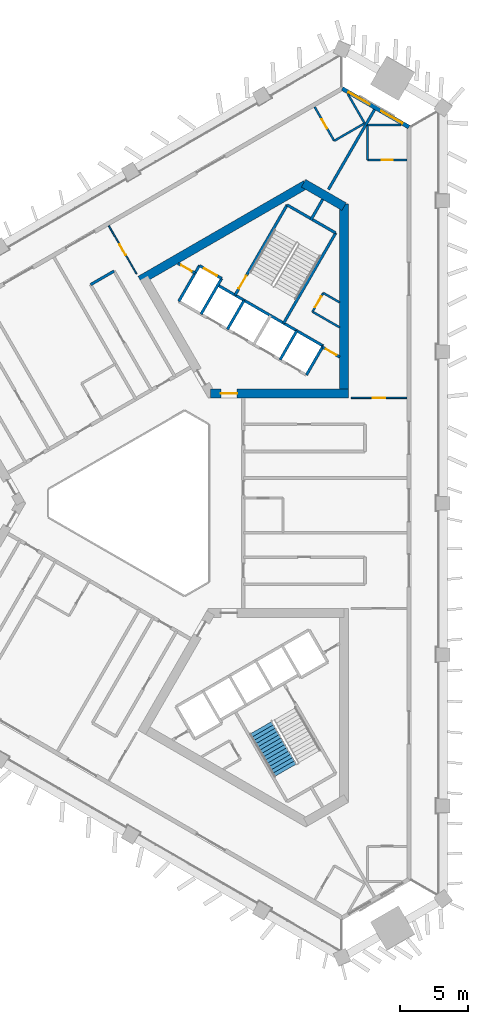
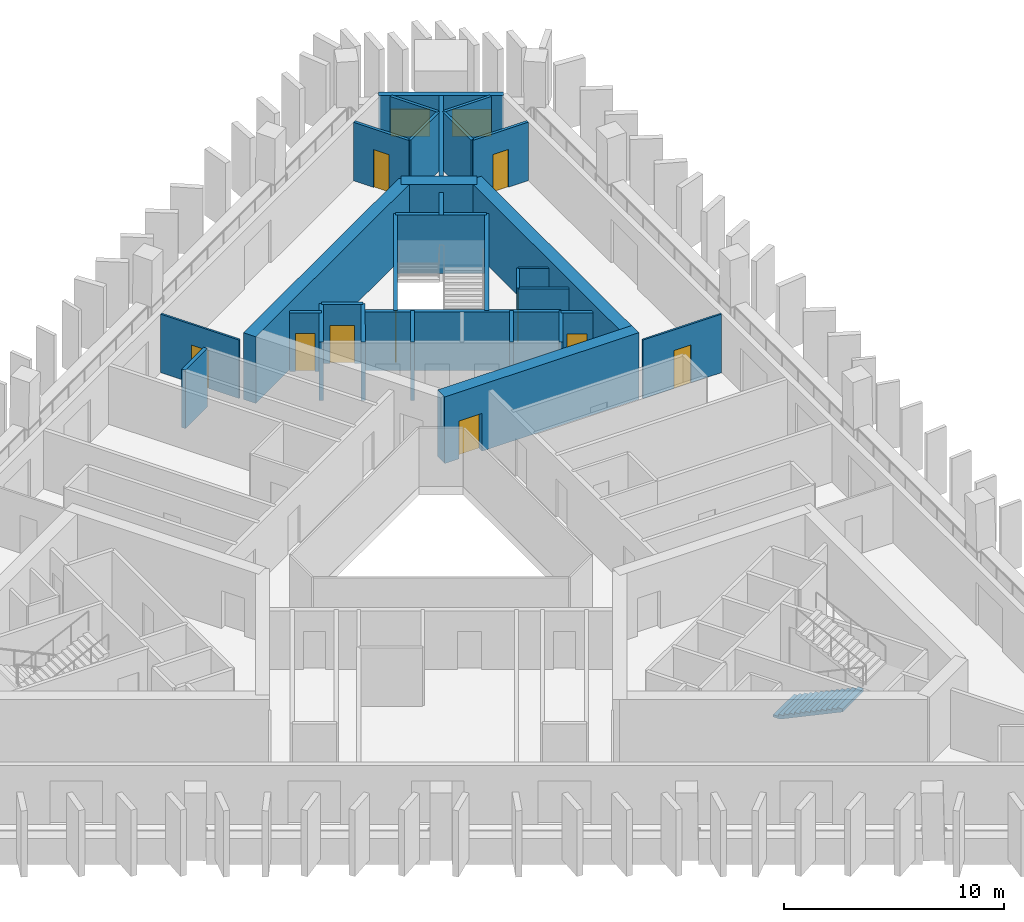
# One storey, part 6 of 10: 31 walls, 10 doors, 2 windows, 1 stair flight, 12 openings, 1 element without a shape of its own.
"""IFC4 building model written with IfcOpenShell, lengths in metres."""

from ifc_helpers import new_model, si_unit, direction, frame, frame_2d, origin, place, context, subcontext, project, spatial, polyline, rectangle, outline, extrude, material, layer, layer_set, type_object, element, fill, aggregate, save


model = new_model("IFC4")

# Units and contexts
model_context = context("Model", 3, precision=1e-05, world=origin(), true_north=direction((0.0, 1.0)))
body_context = subcontext(model_context, "Body", "Model", "MODEL_VIEW")
ifc_project = project(units=[si_unit("LENGTHUNIT", "METRE"), si_unit("AREAUNIT", "SQUARE_METRE"), si_unit("VOLUMEUNIT", "CUBIC_METRE"), si_unit("PLANEANGLEUNIT", "RADIAN"), si_unit("MASSUNIT", "GRAM", prefix="KILO")], contexts=[model_context])

# Site, building, storey
site_placement = place(None, origin())
site = spatial("IfcSite", under=ifc_project, at=site_placement, CompositionType="ELEMENT")
building_placement = place(site_placement, origin())
building = spatial("IfcBuilding", under=site, at=building_placement, Name="Jabali Bay Hotel Tower and Convention Centre", CompositionType="ELEMENT")
storey_placement = place(building_placement, frame((0.0, 0.0, 136.39990234375)))
storey = spatial("IfcBuildingStorey", under=building, at=storey_placement, Name="L33", CompositionType="ELEMENT", Elevation=136.39990234375)

# Wall
ifc_material_1 = material(Name="Concrete C40", Category="concrete")
ifc_layer_1 = layer(ifc_material_1, 0.199951171875)
ifc_layer_set_1 = layer_set([ifc_layer_1], Name="Concrete C40")
wall_type_1 = type_object("IfcWallType", Name="Core partition wall 200", PredefinedType="PARTITIONING", material=ifc_layer_set_1)
wall_1_placement = place(storey_placement, frame((87.090087890625, 100.9404296875, 0.0), z_axis=(0.0, 0.0, 1.0), x_axis=(0.499944938281, 0.866057191349, 0.0)))
element("IfcWall", 1, at=wall_1_placement, inside=storey, type_object=wall_type_1, Name="Core wall 1.5 L33", PredefinedType="PARTITIONING", context=body_context, shape_type="SweptSolid", body=[
    extrude(rectangle(XDim=1.773193359375, YDim=0.199951171875, at=frame_2d((0.88671875, 0.0))), origin(), (0.0, 0.0, 1.0), 3.25),
])

# Wall, opening, door
wall_2_placement = place(storey_placement, frame((89.22998046875, 90.813720703125, 0.0), z_axis=(0.0, 0.0, 1.0), x_axis=(-0.866022048785, 0.500005810984, 0.0)))
wall_2 = element("IfcWall", 2, at=wall_2_placement, inside=storey, type_object=wall_type_1, Name="Core wall 1.11 L33", PredefinedType="PARTITIONING", context=body_context, shape_type="SweptSolid", body=[
    extrude(rectangle(XDim=1.466796875, YDim=0.199951171875, at=frame_2d((0.7333984375, 0.0))), origin(), (0.0, 0.0, 1.0), 3.25),
])
opening_1_placement = place(wall_2_placement, frame((0.283447265625, 0.0, 0.0)))
opening_1 = element("IfcOpeningElement", 3, at=opening_1_placement, cuts=wall_2, Name="Opening D733", PredefinedType="OPENING", context=body_context, shape_type="SweptSolid", body=[
    extrude(rectangle(XDim=0.89990234375, YDim=2.10009765625, at=frame_2d((0.449951171875, 1.050048828125))), frame((0.0, 0.1103515625, 0.0), z_axis=(0.0, -1.0, 0.0), x_axis=(1.0, 0.0, 0.0)), (0.0, 0.0, 1.0), 0.220947265625),
])
ifc_material_2 = material(Name="Fire-rated steel door", Category="steel")
door_type_1 = type_object("IfcDoorType", Name="Vestibule fire door 900 x 2100", OperationType="NOTDEFINED", PredefinedType="NOTDEFINED", material=ifc_material_2)
door_1_placement = place(opening_1_placement, origin())
door_1 = element("IfcDoor", 4, at=door_1_placement, inside=storey, type_object=door_type_1, Name="Vestibule fire door D733", OperationType="SINGLE_SWING_LEFT", OverallHeight=2.10009765625, OverallWidth=0.89990234375, PredefinedType="NOTDEFINED", context=body_context, shape_type="SweptSolid", body=[
    extrude(rectangle(XDim=0.89990234375, YDim=2.10009765625, at=frame_2d((0.449951171875, 1.050048828125))), frame((0.0, 0.02490234375, 0.0), z_axis=(0.0, -1.0, 0.0), x_axis=(1.0, 0.0, 0.0)), (0.0, 0.0, 1.0), 0.050048828125),
])
fill(opening_1, door_1)

wall_3_placement = place(storey_placement, frame((78.5302734375, 97.014404296875, 0.0), z_axis=(0.0, 0.0, 1.0), x_axis=(-0.866045896294, 0.499964504253, 0.0)))
wall_3 = element("IfcWall", 5, at=wall_3_placement, inside=storey, type_object=wall_type_1, Name="Core wall 1.12 L33", PredefinedType="PARTITIONING", context=body_context, shape_type="SweptSolid", body=[
    extrude(rectangle(XDim=1.455078125, YDim=0.199951171875, at=frame_2d((0.7275390625, 0.0))), origin(), (0.0, 0.0, 1.0), 3.25),
])
opening_2_placement = place(wall_3_placement, frame((0.277587890625, 0.0, 0.0)))
opening_2 = element("IfcOpeningElement", 6, at=opening_2_placement, cuts=wall_3, Name="Opening D732", PredefinedType="OPENING", context=body_context, shape_type="SweptSolid", body=[
    extrude(rectangle(XDim=0.89990234375, YDim=2.10009765625, at=frame_2d((0.449951171875, 1.050048828125))), frame((0.0, 0.1103515625, 0.0), z_axis=(0.0, -1.0, 0.0), x_axis=(1.0, 0.0, 0.0)), (0.0, 0.0, 1.0), 0.220947265625),
])
door_2_placement = place(opening_2_placement, origin())
door_2 = element("IfcDoor", 7, at=door_2_placement, inside=storey, type_object=door_type_1, Name="Vestibule fire door D732", OperationType="SINGLE_SWING_LEFT", OverallHeight=2.10009765625, OverallWidth=0.89990234375, PredefinedType="NOTDEFINED", context=body_context, shape_type="SweptSolid", body=[
    extrude(rectangle(XDim=0.89990234375, YDim=2.10009765625, at=frame_2d((0.449951171875, 1.050048828125))), frame((0.0, 0.02490234375, 0.0), z_axis=(0.0, -1.0, 0.0), x_axis=(1.0, 0.0, 0.0)), (0.0, 0.0, 1.0), 0.050048828125),
])
fill(opening_2, door_2)

ifc_material_3 = material(Name="Fire-rated board partition")
ifc_layer_2 = layer(ifc_material_3, 0.14990234375)
ifc_layer_set_2 = layer_set([ifc_layer_2], Name="Fire-rated board partition")
wall_type_2 = type_object("IfcWallType", Name="Core room partition 150", PredefinedType="PARTITIONING", material=ifc_layer_set_2)
wall_4_placement = place(storey_placement, frame((87.22119140625, 94.16748046875, 0.0), z_axis=(0.0, 0.0, 1.0), x_axis=(0.499880961361, 0.866094119867, 0.0)))
wall_4 = element("IfcWall", 8, at=wall_4_placement, inside=storey, type_object=wall_type_2, Name="Core wall 1.1 L33", PredefinedType="PARTITIONING", context=body_context, shape_type="SweptSolid", body=[
    extrude(rectangle(XDim=1.60009765625, YDim=0.14990234375, at=frame_2d((0.800048828125, 0.0))), origin(), (0.0, 0.0, 1.0), 3.25),
])
opening_3_placement = place(wall_4_placement, frame((0.387451171875, 0.0, 0.0)))
opening_3 = element("IfcOpeningElement", 9, at=opening_3_placement, cuts=wall_4, Name="Opening D735", PredefinedType="OPENING", context=body_context, shape_type="SweptSolid", body=[
    extrude(rectangle(XDim=0.89990234375, YDim=2.10009765625, at=frame_2d((0.449951171875, 1.050048828125))), frame((0.0, 0.08544921875, 0.0), z_axis=(0.0, -1.0, 0.0), x_axis=(1.0, 0.0, 0.0)), (0.0, 0.0, 1.0), 0.1708984375),
])
door_type_2 = type_object("IfcDoorType", Name="Core room door 900 x 2100", OperationType="NOTDEFINED", PredefinedType="NOTDEFINED", material=ifc_material_2)
door_3_placement = place(opening_3_placement, origin())
door_3 = element("IfcDoor", 10, at=door_3_placement, inside=storey, type_object=door_type_2, Name="Core room door D735", OperationType="SINGLE_SWING_LEFT", OverallHeight=2.10009765625, OverallWidth=0.89990234375, PredefinedType="NOTDEFINED", context=body_context, shape_type="SweptSolid", body=[
    extrude(rectangle(XDim=0.89990234375, YDim=2.10009765625, at=frame_2d((0.449951171875, 1.050048828125))), frame((0.0, 0.02490234375, 0.0), z_axis=(0.0, -1.0, 0.0), x_axis=(1.0, 0.0, 0.0)), (0.0, 0.0, 1.0), 0.050048828125),
])
fill(opening_3, door_3)

# Walls
wall_5_placement = place(storey_placement, frame((89.22998046875, 93.0078125, 0.0), z_axis=(0.0, 0.0, 1.0), x_axis=(-0.866045366557, 0.49996542187, 0.0)))
element("IfcWall", 11, at=wall_5_placement, inside=storey, type_object=wall_type_2, Name="Core wall 1.15 L33", PredefinedType="PARTITIONING", context=body_context, shape_type="SweptSolid", body=[
    extrude(rectangle(XDim=2.319580078125, YDim=0.14990234375, at=frame_2d((1.15966796875, 0.0))), origin(), (0.0, 0.0, 1.0), 3.25),
])
wall_6_placement = place(storey_placement, frame((89.22998046875, 94.855224609375, 0.0), z_axis=(0.0, 0.0, 1.0), x_axis=(-0.866028321769, 0.499994945868, 0.0)))
element("IfcWall", 12, at=wall_6_placement, inside=storey, type_object=wall_type_2, Name="Core wall 1.16 L33", PredefinedType="PARTITIONING", context=body_context, shape_type="SweptSolid", body=[
    extrude(rectangle(XDim=1.39599609375, YDim=0.14990234375, at=frame_2d((0.697998046875, 0.0))), origin(), (0.0, 0.0, 1.0), 3.25),
])
ifc_layer_3 = layer(ifc_material_1, 0.199951171875)
ifc_layer_set_3 = layer_set([ifc_layer_3], Name="Concrete C40")
wall_type_3 = type_object("IfcWallType", Name="Core stair wall 200", PredefinedType="SOLIDWALL", material=ifc_layer_set_3)
for number, where, z_axis, x_axis, name in (
    (13, (86.769775390625, 89.48583984375, 0.0), (0.0, 0.0, 1.0), (0.499961042966, 0.86604789447, 0.0), "Core wall 1.0 L33"),
    (14, (84.8212890625, 90.61083984375, 0.0), (0.0, 0.0, 1.0), (0.499961042966, 0.86604789447, 0.0), "Core wall 1.2 L33"),
):
    element("IfcWall", number, at=place(storey_placement, frame(where, z_axis=z_axis, x_axis=x_axis)), inside=storey, type_object=wall_type_3, Name=name, PredefinedType="SOLIDWALL", context=body_context, shape_type="SweptSolid", body=[
        extrude(rectangle(XDim=2.480224609375, YDim=0.199951171875, at=frame_2d((1.240234375, 0.0))), origin(), (0.0, 0.0, 1.0), 3.25),
    ])
wall_7_placement = place(storey_placement, frame((85.0869140625, 93.3212890625, 0.0), z_axis=(0.0, 0.0, 1.0), x_axis=(0.500019787375, 0.866013979237, 0.0)))
element("IfcWall", 15, at=wall_7_placement, inside=storey, type_object=wall_type_3, Name="Core wall 1.3 L33", PredefinedType="SOLIDWALL", context=body_context, shape_type="SweptSolid", body=[
    extrude(rectangle(XDim=7.699951171875, YDim=0.199951171875, at=frame_2d((3.85009765625, 0.0))), origin(), (0.0, 0.0, 1.0), 3.25),
])
wall_8_placement = place(storey_placement, frame((80.924072265625, 92.86083984375, 0.0), z_axis=(0.0, 0.0, 1.0), x_axis=(0.499961042966, 0.86604789447, 0.0)))
element("IfcWall", 16, at=wall_8_placement, inside=storey, type_object=wall_type_3, Name="Core wall 1.6 L33", PredefinedType="SOLIDWALL", context=body_context, shape_type="SweptSolid", body=[
    extrude(rectangle(XDim=2.480224609375, YDim=0.199951171875, at=frame_2d((1.240234375, 0.0))), origin(), (0.0, 0.0, 1.0), 3.25),
])

# Wall, opening, door
wall_9_placement = place(storey_placement, frame((81.492919921875, 95.396240234375, 0.0), z_axis=(0.0, 0.0, 1.0), x_axis=(0.500006057782, 0.866021906294, 0.0)))
wall_9 = element("IfcWall", 17, at=wall_9_placement, inside=storey, type_object=wall_type_3, Name="Core wall 1.7 L33", PredefinedType="SOLIDWALL", context=body_context, shape_type="SweptSolid", body=[
    extrude(rectangle(XDim=7.7001953125, YDim=0.199951171875, at=frame_2d((3.85009765625, 0.0))), origin(), (0.0, 0.0, 1.0), 3.25),
])
opening_4_placement = place(wall_9_placement, frame((0.550048828125, 0.0, 0.0)))
opening_4 = element("IfcOpeningElement", 18, at=opening_4_placement, cuts=wall_9, Name="Opening D734", PredefinedType="OPENING", context=body_context, shape_type="SweptSolid", body=[
    extrude(rectangle(XDim=1.10009765625, YDim=2.10009765625, at=frame_2d((0.550048828125, 1.050048828125))), frame((0.0, 0.1103515625, 0.0), z_axis=(0.0, -1.0, 0.0), x_axis=(1.0, 0.0, 0.0)), (0.0, 0.0, 1.0), 0.220947265625),
])
door_type_3 = type_object("IfcDoorType", Name="Stair fire door 1100 x 2100", OperationType="NOTDEFINED", PredefinedType="NOTDEFINED", material=ifc_material_2)
door_4_placement = place(opening_4_placement, origin())
door_4 = element("IfcDoor", 19, at=door_4_placement, inside=storey, type_object=door_type_3, Name="Stair fire door D734", OperationType="SINGLE_SWING_RIGHT", OverallHeight=2.10009765625, OverallWidth=1.10009765625, PredefinedType="NOTDEFINED", context=body_context, shape_type="SweptSolid", body=[
    extrude(rectangle(XDim=1.10009765625, YDim=2.10009765625, at=frame_2d((0.550048828125, 1.050048828125))), frame((0.0, 0.02490234375, 0.0), z_axis=(0.0, -1.0, 0.0), x_axis=(1.0, 0.0, 0.0)), (0.0, 0.0, 1.0), 0.050048828125),
])
fill(opening_4, door_4)

# Walls
for number, where, z_axis, x_axis, name in (
    (20, (78.9755859375, 93.98583984375, 0.0), (0.0, 0.0, 1.0), (0.499944174705, 0.866057632134, 0.0), "Core wall 1.8 L33"),
    (21, (77.330078125, 94.93603515625, 0.0), (0.0, 0.0, 1.0), (0.500038867431, 0.8660029625, 0.0), "Core wall 1.9 L33"),
):
    element("IfcWall", number, at=place(storey_placement, frame(where, z_axis=z_axis, x_axis=x_axis)), inside=storey, type_object=wall_type_3, Name=name, PredefinedType="SOLIDWALL", context=body_context, shape_type="SweptSolid", body=[
        extrude(rectangle(XDim=3.050048828125, YDim=0.199951171875, at=frame_2d((1.52490234375, 0.0))), origin(), (0.0, 0.0, 1.0), 3.25),
    ])
wall_10_placement = place(storey_placement, frame((88.009765625, 91.6337890625, 0.0), z_axis=(0.0, 0.0, 1.0), x_axis=(-0.866024315419, 0.5000018851, 0.0)))
element("IfcWall", 22, at=wall_10_placement, inside=storey, type_object=wall_type_3, Name="Core wall 1.13 L33", PredefinedType="SOLIDWALL", context=body_context, shape_type="SweptSolid", body=[
    extrude(rectangle(XDim=9.0, YDim=0.199951171875, at=frame_2d((4.5, 0.0))), origin(), (0.0, 0.0, 1.0), 3.25),
])

# Wall, opening, door
wall_11_placement = place(storey_placement, frame((80.50048828125, 96.62744140625, 0.0), z_axis=(0.0, 0.0, 1.0), x_axis=(-0.86601224135, 0.500022797313, 0.0)))
wall_11 = element("IfcWall", 23, at=wall_11_placement, inside=storey, type_object=wall_type_3, Name="Core wall 1.14 L33", PredefinedType="SOLIDWALL", context=body_context, shape_type="SweptSolid", body=[
    extrude(rectangle(XDim=1.89990234375, YDim=0.199951171875, at=frame_2d((0.949951171875, 0.0))), origin(), (0.0, 0.0, 1.0), 3.25),
])
opening_5_placement = place(wall_11_placement, frame((0.39990234375, 0.0, 0.0)))
opening_5 = element("IfcOpeningElement", 24, at=opening_5_placement, cuts=wall_11, Name="Opening LD10-L33", PredefinedType="OPENING", context=body_context, shape_type="SweptSolid", body=[
    extrude(rectangle(XDim=1.10009765625, YDim=2.10009765625, at=frame_2d((0.550048828125, 1.050048828125))), frame((0.0, 0.1103515625, 0.0), z_axis=(0.0, -1.0, 0.0), x_axis=(1.0, 0.0, 0.0)), (0.0, 0.0, 1.0), 0.220947265625),
])
ifc_material_4 = material(Name="Stainless steel landing door", Category="steel")
door_type_4 = type_object("IfcDoorType", Name="Landing door 1100 x 2100", OperationType="NOTDEFINED", PredefinedType="NOTDEFINED", material=ifc_material_4)
door_5_placement = place(opening_5_placement, origin())
door_5 = element("IfcDoor", 25, at=door_5_placement, inside=storey, type_object=door_type_4, Name="Landing doors LD10-L33", OperationType="SLIDING_TO_RIGHT", OverallHeight=2.10009765625, OverallWidth=1.10009765625, PredefinedType="NOTDEFINED", context=body_context, shape_type="SweptSolid", body=[
    extrude(rectangle(XDim=1.10009765625, YDim=2.10009765625, at=frame_2d((0.550048828125, 1.050048828125))), frame((0.0, 0.02490234375, 0.0), z_axis=(0.0, -1.0, 0.0), x_axis=(1.0, 0.0, 0.0)), (0.0, 0.0, 1.0), 0.050048828125),
])
fill(opening_5, door_5)

# Wall
wall_12_placement = place(storey_placement, frame((88.93701171875, 99.989501953125, 0.0), z_axis=(0.0, 0.0, 1.0), x_axis=(-0.866004344652, 0.500036473714, 0.0)))
element("IfcWall", 26, at=wall_12_placement, inside=storey, type_object=wall_type_3, Name="Core wall 1.17 L33", PredefinedType="SOLIDWALL", context=body_context, shape_type="SweptSolid", body=[
    extrude(rectangle(XDim=4.150146484375, YDim=0.199951171875, at=frame_2d((2.0751953125, 0.0))), origin(), (0.0, 0.0, 1.0), 3.25),
])

# Wall, opening, door
ifc_material_5 = material(Name="Concrete C60", Category="concrete")
ifc_layer_4 = layer(ifc_material_5, 0.64990234375)
ifc_layer_set_4 = layer_set([ifc_layer_4], Name="Concrete C60")
wall_type_4 = type_object("IfcWallType", Name="Core wall 650", PredefinedType="SHEAR", material=ifc_layer_set_4)
wall_13_placement = place(storey_placement, frame((79.687744140625, 88.119140625, 0.0), z_axis=(0.0, 0.0, 1.0), x_axis=(1.0, 0.0, 0.0)))
wall_13 = element("IfcWall", 27, at=wall_13_placement, inside=storey, type_object=wall_type_4, Name="Core wall 2.1 L33", PredefinedType="SHEAR", context=body_context, shape_type="SweptSolid", body=[
    extrude(rectangle(XDim=10.192138671875, YDim=0.64990234375, at=frame_2d((5.09619140625, 0.0))), origin(), (0.0, 0.0, 1.0), 3.7001953125),
])
opening_6_placement = place(wall_13_placement, frame((0.762451171875, 0.0, 0.0)))
opening_6 = element("IfcOpeningElement", 28, at=opening_6_placement, cuts=wall_13, Name="Opening D730", PredefinedType="OPENING", context=body_context, shape_type="SweptSolid", body=[
    extrude(rectangle(XDim=1.199951171875, YDim=2.10009765625, at=frame_2d((0.60009765625, 1.050048828125))), frame((0.0, 0.33544921875, 0.0), z_axis=(0.0, -1.0, 0.0), x_axis=(1.0, 0.0, 0.0)), (0.0, 0.0, 1.0), 0.6708984375),
])
door_type_5 = type_object("IfcDoorType", Name="Corridor end fire door 1200 x 2100", OperationType="NOTDEFINED", PredefinedType="NOTDEFINED", material=ifc_material_2)
door_6_placement = place(opening_6_placement, origin())
door_6 = element("IfcDoor", 29, at=door_6_placement, inside=storey, type_object=door_type_5, Name="Corridor end fire door D730", OperationType="SINGLE_SWING_RIGHT", OverallHeight=2.10009765625, OverallWidth=1.199951171875, PredefinedType="NOTDEFINED", context=body_context, shape_type="SweptSolid", body=[
    extrude(rectangle(XDim=1.199951171875, YDim=2.10009765625, at=frame_2d((0.60009765625, 1.050048828125))), frame((0.0, 0.02490234375, 0.0), z_axis=(0.0, -1.0, 0.0), x_axis=(1.0, 0.0, 0.0)), (0.0, 0.0, 1.0), 0.050048828125),
])
fill(opening_6, door_6)

# Walls
wall_14_placement = place(storey_placement, frame((89.554931640625, 88.119140625, 0.0), z_axis=(0.0, 0.0, 1.0), x_axis=(0.0, 1.0, 0.0)))
element("IfcWall", 30, at=wall_14_placement, inside=storey, type_object=wall_type_4, Name="Core wall 2.2 L33", PredefinedType="SHEAR", context=body_context, shape_type="SweptSolid", body=[
    extrude(rectangle(XDim=14.008544921875, YDim=0.64990234375, at=frame_2d((7.00439453125, 0.0))), origin(), (0.0, 0.0, 1.0), 3.7001953125),
])
wall_15_placement = place(storey_placement, frame((89.554931640625, 101.93994140625, 0.0), z_axis=(0.0, 0.0, 1.0), x_axis=(-0.866031550877, 0.499989352773, 0.0)))
element("IfcWall", 31, at=wall_15_placement, inside=storey, type_object=wall_type_4, Name="Core wall 2.3 L33", PredefinedType="SHEAR", context=body_context, shape_type="SweptSolid", body=[
    extrude(rectangle(XDim=3.45751953125, YDim=0.64990234375, at=frame_2d((1.728759765625, 0.0))), origin(), (0.0, 0.0, 1.0), 3.7001953125),
])
wall_16_placement = place(storey_placement, frame((86.72314453125, 103.574951171875, 0.0), z_axis=(0.0, 0.0, 1.0), x_axis=(-0.866031824457, -0.499988878904, 0.0)))
element("IfcWall", 32, at=wall_16_placement, inside=storey, type_object=wall_type_4, Name="Core wall 2.4 L33", PredefinedType="SHEAR", context=body_context, shape_type="SweptSolid", body=[
    extrude(rectangle(XDim=14.145751953125, YDim=0.64990234375, at=frame_2d((7.07275390625, 0.0))), origin(), (0.0, 0.0, 1.0), 3.7001953125),
])

# Wall, openings, windows
ifc_layer_5 = layer(ifc_material_1, 0.300048828125)
ifc_layer_set_5 = layer_set([ifc_layer_5], Name="Concrete C40")
wall_type_5 = type_object("IfcWallType", Name="External wall 300", PredefinedType="SOLIDWALL", material=ifc_layer_set_5)
wall_17_placement = place(storey_placement, frame((89.4208984375, 110.671630859375, 0.0), z_axis=(0.0, 0.0, 1.0), x_axis=(0.86600207179, -0.500040410022, 0.0)))
wall_17 = element("IfcWall", 33, at=wall_17_placement, inside=storey, type_object=wall_type_5, Name="External wall north-east chamfer L33", PredefinedType="SOLIDWALL", context=body_context, shape_type="SweptSolid", body=[
    extrude(rectangle(XDim=5.69384765625, YDim=0.300048828125, at=frame_2d((2.846923828125, 0.0))), origin(), (0.0, 0.0, 1.0), 3.25),
])
opening_7_placement = place(wall_17_placement, frame((3.331298828125, 0.0, 0.89990234375)))
opening_7 = element("IfcOpeningElement", 34, at=opening_7_placement, cuts=wall_17, Name="Opening W1", PredefinedType="OPENING", context=body_context, shape_type="SweptSolid", body=[
    extrude(rectangle(XDim=1.800048828125, YDim=1.5, at=frame_2d((0.89990234375, 0.75))), frame((0.0, 0.16064453125, 0.0), z_axis=(0.0, -1.0, 0.0), x_axis=(1.0, 0.0, 0.0)), (0.0, 0.0, 1.0), 0.321044921875),
])
opening_8_placement = place(wall_17_placement, frame((0.54638671875, 0.0, 0.89990234375)))
opening_8 = element("IfcOpeningElement", 35, at=opening_8_placement, cuts=wall_17, Name="Opening W1", PredefinedType="OPENING", context=body_context, shape_type="SweptSolid", body=[
    extrude(rectangle(XDim=1.800048828125, YDim=1.5, at=frame_2d((0.89990234375, 0.75))), frame((0.0, 0.16064453125, 0.0), z_axis=(0.0, -1.0, 0.0), x_axis=(1.0, 0.0, 0.0)), (0.0, 0.0, 1.0), 0.321044921875),
])
ifc_material_6 = material(Name="Glass", Category="glass")
window_type = type_object("IfcWindowType", Name="Window 1800 x 1500", PartitioningType="SINGLE_PANEL", PredefinedType="WINDOW", material=ifc_material_6)
window_1_placement = place(opening_7_placement, origin())
window_1 = element("IfcWindow", 36, at=window_1_placement, inside=storey, type_object=window_type, Name="Window 3304", OverallHeight=1.5, OverallWidth=1.800048828125, PartitioningType="SINGLE_PANEL", PredefinedType="WINDOW", context=body_context, shape_type="SweptSolid", body=[
    extrude(rectangle(XDim=1.800048828125, YDim=1.5, at=frame_2d((0.89990234375, 0.75))), frame((0.0, 0.030029296875, 0.0), z_axis=(0.0, -1.0, 0.0), x_axis=(1.0, 0.0, 0.0)), (0.0, 0.0, 1.0), 0.06005859375),
])
fill(opening_7, window_1)
window_2_placement = place(opening_8_placement, origin())
window_2 = element("IfcWindow", 37, at=window_2_placement, inside=storey, type_object=window_type, Name="Window 3306", OverallHeight=1.5, OverallWidth=1.800048828125, PartitioningType="SINGLE_PANEL", PredefinedType="WINDOW", context=body_context, shape_type="SweptSolid", body=[
    extrude(rectangle(XDim=1.800048828125, YDim=1.5, at=frame_2d((0.89990234375, 0.75))), frame((0.0, 0.030029296875, 0.0), z_axis=(0.0, -1.0, 0.0), x_axis=(1.0, 0.0, 0.0)), (0.0, 0.0, 1.0), 0.06005859375),
])
fill(opening_8, window_2)

# Wall, opening, door
ifc_material_7 = material(Name="Plasterboard on steel stud", Category="steel")
ifc_layer_6 = layer(ifc_material_7, 0.10009765625)
ifc_layer_set_6 = layer_set([ifc_layer_6], Name="Plasterboard on steel stud")
wall_type_6 = type_object("IfcWallType", Name="Partition 100 unit", PredefinedType="PARTITIONING", material=ifc_layer_set_6)
wall_18_placement = place(storey_placement, frame((94.202880859375, 87.794189453125, 0.0), z_axis=(0.0, 0.0, 1.0), x_axis=(-1.0, 0.0, 0.0)))
wall_18 = element("IfcWall", 38, at=wall_18_placement, inside=storey, type_object=wall_type_6, Name="Partition P02 L33 014", PredefinedType="PARTITIONING", context=body_context, shape_type="SweptSolid", body=[
    extrude(rectangle(XDim=4.123779296875, YDim=0.10009765625, at=frame_2d((2.06201171875, 0.0))), origin(), (0.0, 0.0, 1.0), 3.25),
])
opening_9_placement = place(wall_18_placement, frame((1.612060546875, 0.0, 0.0)))
opening_9 = element("IfcOpeningElement", 39, at=opening_9_placement, cuts=wall_18, Name="Opening 3308", PredefinedType="OPENING", context=body_context, shape_type="SweptSolid", body=[
    extrude(rectangle(XDim=0.89990234375, YDim=2.10009765625, at=frame_2d((0.449951171875, 1.050048828125))), frame((0.0, 0.060546875, 0.0), z_axis=(0.0, -1.0, 0.0), x_axis=(1.0, 0.0, 0.0)), (0.0, 0.0, 1.0), 0.12109375),
])
ifc_material_8 = material(Name="Timber", Category="wood")
door_type_6 = type_object("IfcDoorType", Name="Internal door 900 x 2100", OperationType="NOTDEFINED", PredefinedType="NOTDEFINED", material=ifc_material_8)
door_7_placement = place(opening_9_placement, origin())
door_7 = element("IfcDoor", 40, at=door_7_placement, inside=storey, type_object=door_type_6, Name="Door 3308", OperationType="SINGLE_SWING_RIGHT", OverallHeight=2.10009765625, OverallWidth=0.89990234375, PredefinedType="NOTDEFINED", context=body_context, shape_type="SweptSolid", body=[
    extrude(rectangle(XDim=0.89990234375, YDim=2.10009765625, at=frame_2d((0.449951171875, 1.050048828125))), frame((0.0, 0.02490234375, 0.0), z_axis=(0.0, -1.0, 0.0), x_axis=(1.0, 0.0, 0.0)), (0.0, 0.0, 1.0), 0.050048828125),
])
fill(opening_9, door_7)

wall_19_placement = place(storey_placement, frame((74.21044921875, 96.955810546875, 0.0), z_axis=(0.0, 0.0, 1.0), x_axis=(-0.499997465321, 0.866026867177, 0.0)))
wall_19 = element("IfcWall", 41, at=wall_19_placement, inside=storey, type_object=wall_type_6, Name="Partition P02 L33 022", PredefinedType="PARTITIONING", context=body_context, shape_type="SweptSolid", body=[
    extrude(rectangle(XDim=4.1240234375, YDim=0.10009765625, at=frame_2d((2.06201171875, 0.0))), origin(), (0.0, 0.0, 1.0), 3.25),
])
opening_10_placement = place(wall_19_placement, frame((1.612060546875, 0.0, 0.0)))
opening_10 = element("IfcOpeningElement", 42, at=opening_10_placement, cuts=wall_19, Name="Opening 3312", PredefinedType="OPENING", context=body_context, shape_type="SweptSolid", body=[
    extrude(rectangle(XDim=0.89990234375, YDim=2.10009765625, at=frame_2d((0.449951171875, 1.050048828125))), frame((0.0, 0.060546875, 0.0), z_axis=(0.0, -1.0, 0.0), x_axis=(1.0, 0.0, 0.0)), (0.0, 0.0, 1.0), 0.12109375),
])
door_8_placement = place(opening_10_placement, origin())
door_8 = element("IfcDoor", 43, at=door_8_placement, inside=storey, type_object=door_type_6, Name="Door 3312", OperationType="SINGLE_SWING_RIGHT", OverallHeight=2.10009765625, OverallWidth=0.89990234375, PredefinedType="NOTDEFINED", context=body_context, shape_type="SweptSolid", body=[
    extrude(rectangle(XDim=0.89990234375, YDim=2.10009765625, at=frame_2d((0.449951171875, 1.050048828125))), frame((0.0, 0.02490234375, 0.0), z_axis=(0.0, -1.0, 0.0), x_axis=(1.0, 0.0, 0.0)), (0.0, 0.0, 1.0), 0.050048828125),
])
fill(opening_10, door_8)

ifc_layer_7 = layer(ifc_material_7, 0.14990234375)
ifc_layer_set_7 = layer_set([ifc_layer_7], Name="Plasterboard on steel stud")
wall_type_7 = type_object("IfcWallType", Name="Partition 150 wet", PredefinedType="PARTITIONING", material=ifc_layer_set_7)
wall_20_placement = place(storey_placement, frame((94.20166015625, 105.394287109375, 0.0), z_axis=(0.0, 0.0, 1.0), x_axis=(-1.0, 0.0, 0.0)))
wall_20 = element("IfcWall", 44, at=wall_20_placement, inside=storey, type_object=wall_type_7, Name="Partition P03 L33 018", PredefinedType="PARTITIONING", context=body_context, shape_type="SweptSolid", body=[
    extrude(rectangle(XDim=2.900146484375, YDim=0.14990234375, at=frame_2d((1.4501953125, 0.0))), origin(), (0.0, 0.0, 1.0), 3.25),
])
opening_11_placement = place(wall_20_placement, frame((1.050048828125, 0.0, 0.0)))
opening_11 = element("IfcOpeningElement", 45, at=opening_11_placement, cuts=wall_20, Name="Opening 3309", PredefinedType="OPENING", context=body_context, shape_type="SweptSolid", body=[
    extrude(rectangle(XDim=0.800048828125, YDim=2.10009765625, at=frame_2d((0.39990234375, 1.050048828125))), frame((0.0, 0.08544921875, 0.0), z_axis=(0.0, -1.0, 0.0), x_axis=(1.0, 0.0, 0.0)), (0.0, 0.0, 1.0), 0.1708984375),
])
door_type_7 = type_object("IfcDoorType", Name="En-suite door 800 x 2100", OperationType="NOTDEFINED", PredefinedType="NOTDEFINED", material=ifc_material_8)
door_9_placement = place(opening_11_placement, origin())
door_9 = element("IfcDoor", 46, at=door_9_placement, inside=storey, type_object=door_type_7, Name="Door 3309", OperationType="SINGLE_SWING_RIGHT", OverallHeight=2.10009765625, OverallWidth=0.800048828125, PredefinedType="NOTDEFINED", context=body_context, shape_type="SweptSolid", body=[
    extrude(rectangle(XDim=0.800048828125, YDim=2.10009765625, at=frame_2d((0.39990234375, 1.050048828125))), frame((0.0, 0.02490234375, 0.0), z_axis=(0.0, -1.0, 0.0), x_axis=(1.0, 0.0, 0.0)), (0.0, 0.0, 1.0), 0.050048828125),
])
fill(opening_11, door_9)

# Walls
wall_21_placement = place(storey_placement, frame((91.301513671875, 105.394287109375, 0.0), z_axis=(0.0, 0.0, 1.0), x_axis=(0.0, 1.0, 0.0)))
element("IfcWall", 47, at=wall_21_placement, inside=storey, type_object=wall_type_7, Name="Partition P03 L33 019", PredefinedType="PARTITIONING", context=body_context, shape_type="SweptSolid", body=[
    extrude(rectangle(XDim=2.599853515625, YDim=0.14990234375, at=frame_2d((1.2998046875, 0.0))), origin(), (0.0, 0.0, 1.0), 3.25),
])
wall_22_placement = place(storey_placement, frame((91.301513671875, 107.994140625, 0.0), z_axis=(0.0, 0.0, 1.0), x_axis=(1.0, 0.0, 0.0)))
element("IfcWall", 48, at=wall_22_placement, inside=storey, type_object=wall_type_7, Name="Partition P03 L33 020", PredefinedType="PARTITIONING", context=body_context, shape_type="SweptSolid", body=[
    extrude(rectangle(XDim=2.45849609375, YDim=0.14990234375, at=frame_2d((1.229248046875, 0.0))), origin(), (0.0, 0.0, 1.0), 3.25),
])
wall_23_placement = place(storey_placement, frame((89.83544921875, 110.260009765625, 0.0), z_axis=(0.0, 0.0, 1.0), x_axis=(0.500014231302, -0.866017187182, 0.0)))
element("IfcWall", 49, at=wall_23_placement, inside=storey, type_object=wall_type_7, Name="Partition P03 L33 027", PredefinedType="PARTITIONING", context=body_context, shape_type="SweptSolid", body=[
    extrude(rectangle(XDim=2.48681640625, YDim=0.14990234375, at=frame_2d((1.243408203125, 0.0))), origin(), (0.0, 0.0, 1.0), 3.25),
])
wall_24_placement = place(storey_placement, frame((91.078857421875, 108.1064453125, 0.0), z_axis=(0.0, 0.0, 1.0), x_axis=(-0.866062058628, -0.499936506574, 0.0)))
element("IfcWall", 50, at=wall_24_placement, inside=storey, type_object=wall_type_7, Name="Partition P03 L33 028", PredefinedType="PARTITIONING", context=body_context, shape_type="SweptSolid", body=[
    extrude(rectangle(XDim=2.599853515625, YDim=0.14990234375, at=frame_2d((1.2998046875, 0.0))), origin(), (0.0, 0.0, 1.0), 3.25),
])

# Wall, opening, door
wall_25_placement = place(storey_placement, frame((88.8271484375, 106.806640625, 0.0), z_axis=(0.0, 0.0, 1.0), x_axis=(-0.500023687443, 0.866011727401, 0.0)))
wall_25 = element("IfcWall", 51, at=wall_25_placement, inside=storey, type_object=wall_type_7, Name="Partition P03 L33 029", PredefinedType="PARTITIONING", context=body_context, shape_type="SweptSolid", body=[
    extrude(rectangle(XDim=2.899658203125, YDim=0.14990234375, at=frame_2d((1.44970703125, 0.0))), origin(), (0.0, 0.0, 1.0), 3.25),
])
opening_12_placement = place(wall_25_placement, frame((1.050048828125, 0.0, 0.0)))
opening_12 = element("IfcOpeningElement", 52, at=opening_12_placement, cuts=wall_25, Name="Opening 3313", PredefinedType="OPENING", context=body_context, shape_type="SweptSolid", body=[
    extrude(rectangle(XDim=0.800048828125, YDim=2.10009765625, at=frame_2d((0.39990234375, 1.050048828125))), frame((0.0, 0.08544921875, 0.0), z_axis=(0.0, -1.0, 0.0), x_axis=(1.0, 0.0, 0.0)), (0.0, 0.0, 1.0), 0.1708984375),
])
door_10_placement = place(opening_12_placement, origin())
door_10 = element("IfcDoor", 53, at=door_10_placement, inside=storey, type_object=door_type_7, Name="Door 3313", OperationType="SINGLE_SWING_RIGHT", OverallHeight=2.10009765625, OverallWidth=0.800048828125, PredefinedType="NOTDEFINED", context=body_context, shape_type="SweptSolid", body=[
    extrude(rectangle(XDim=0.800048828125, YDim=2.10009765625, at=frame_2d((0.39990234375, 1.050048828125))), frame((0.0, 0.02490234375, 0.0), z_axis=(0.0, -1.0, 0.0), x_axis=(1.0, 0.0, 0.0)), (0.0, 0.0, 1.0), 0.050048828125),
])
fill(opening_12, door_10)

# Walls
ifc_layer_8 = layer(ifc_material_7, 0.199951171875)
ifc_layer_set_8 = layer_set([ifc_layer_8], Name="Plasterboard on steel stud")
wall_type_8 = type_object("IfcWallType", Name="Partition 200 party", PredefinedType="PARTITIONING", material=ifc_layer_set_8)
wall_26_placement = place(storey_placement, frame((91.811767578125, 109.118896484375, 0.0), z_axis=(0.0, 0.0, 1.0), x_axis=(-0.499980624807, -0.866036589769, 0.0)))
element("IfcWall", 54, at=wall_26_placement, inside=storey, type_object=wall_type_8, Name="Partition P01 L33 021", PredefinedType="PARTITIONING", context=body_context, shape_type="SweptSolid", body=[
    extrude(rectangle(XDim=6.821533203125, YDim=0.199951171875, at=frame_2d((3.41064453125, 0.0))), origin(), (0.0, 0.0, 1.0), 3.25),
])
wall_27_placement = place(storey_placement, frame((70.80908203125, 96.1708984375, 0.0), z_axis=(0.0, 0.0, 1.0), x_axis=(0.866010750942, 0.50002537861, 0.0)))
element("IfcWall", 55, at=wall_27_placement, inside=storey, type_object=wall_type_8, Name="Partition P01 L33 024", PredefinedType="PARTITIONING", context=body_context, shape_type="SweptSolid", body=[
    extrude(rectangle(XDim=2.0, YDim=0.199951171875, at=frame_2d((1.0, 0.0))), origin(), (0.0, 0.0, 1.0), 3.25),
])

# Stair, stair flight
stair_type = type_object("IfcStairType", Name="Exit stair 1900", PredefinedType="HALF_TURN_STAIR", material=ifc_material_1)
stair_placement = place(storey_placement, origin())
stair = element("IfcStair", 56, at=stair_placement, inside=storey, type_object=stair_type, Name="L33 Exit Stair 3", PredefinedType="HALF_TURN_STAIR")
stair_flight_type = type_object("IfcStairFlightType", Name="Stair flight concrete 150", PredefinedType="STRAIGHT", material=ifc_material_1)
stair_flight_placement = place(storey_placement, frame((83.40234375, 63.396728515625, 0.0), z_axis=(0.0, 0.0, 1.0), x_axis=(0.5, -0.866025403784, 0.0)))
stair_flight = element("IfcStairFlight", 57, at=stair_flight_placement, type_object=stair_flight_type, Name="ST3 flight 1", NumberOfRisers=14, NumberOfTreads=13, PredefinedType="STRAIGHT", RiserHeight=0.132142857, TreadLength=0.28, context=body_context, shape_type="SweptSolid", body=[
    extrude(outline(polyline([(0.0, 0.0), (0.0, 0.132080078125), (0.280029296875, 0.132080078125), (0.280029296875, 0.264404296875), (0.56005859375, 0.264404296875), (0.56005859375, 0.396484375), (0.840087890625, 0.396484375), (0.840087890625, 0.528564453125), (1.1201171875, 0.528564453125), (1.1201171875, 0.66064453125), (1.39990234375, 0.66064453125), (1.39990234375, 0.79296875), (1.679931640625, 0.79296875), (1.679931640625, 0.925048828125), (1.9599609375, 0.925048828125), (1.9599609375, 1.05712890625), (2.239990234375, 1.05712890625), (2.239990234375, 1.189208984375), (2.52001953125, 1.189208984375), (2.52001953125, 1.321533203125), (2.800048828125, 1.321533203125), (2.800048828125, 1.45361328125), (3.080078125, 1.45361328125), (3.080078125, 1.585693359375), (3.360107421875, 1.585693359375), (3.360107421875, 1.7177734375), (3.639892578125, 1.7177734375), (3.639892578125, 1.85009765625), (3.639892578125, 1.552001953125), (0.351318359375, 0.0), (0.0, 0.0)])), frame((0.0, 0.949951171875, 0.0), z_axis=(0.0, -1.0, 0.0), x_axis=(1.0, 0.0, 0.0)), (0.0, 0.0, 1.0), 1.89990234375),
])
aggregate(stair, [stair_flight])

save(model, "model.ifc")
